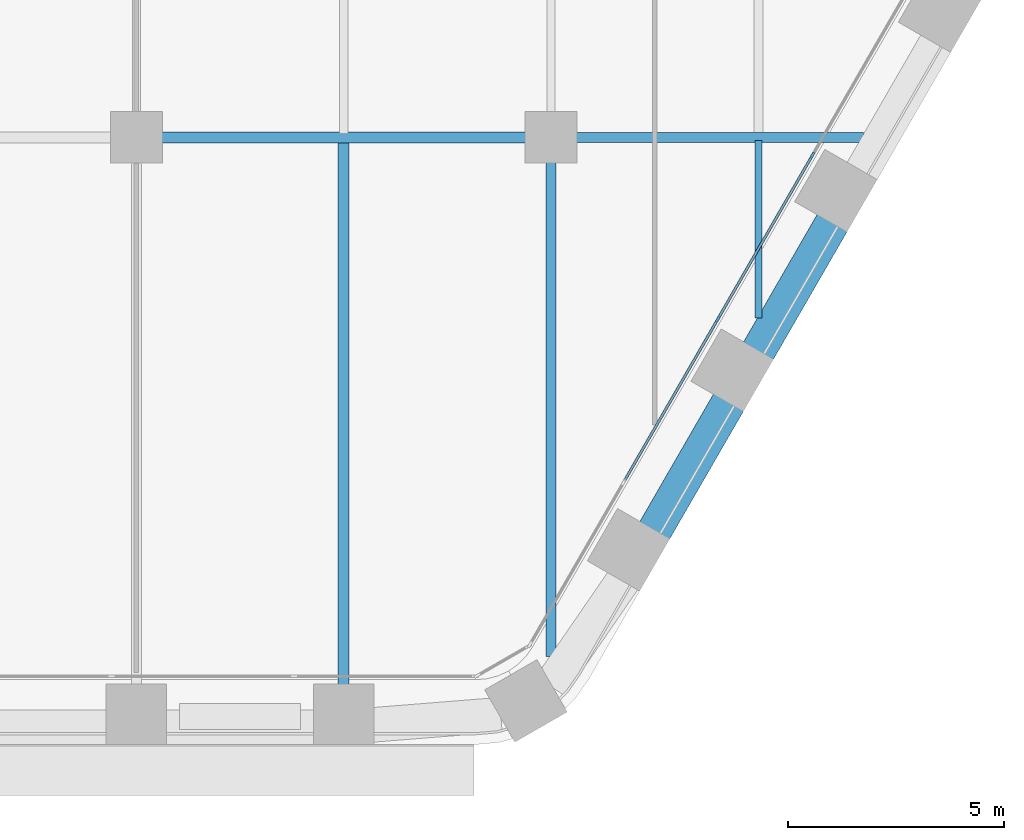
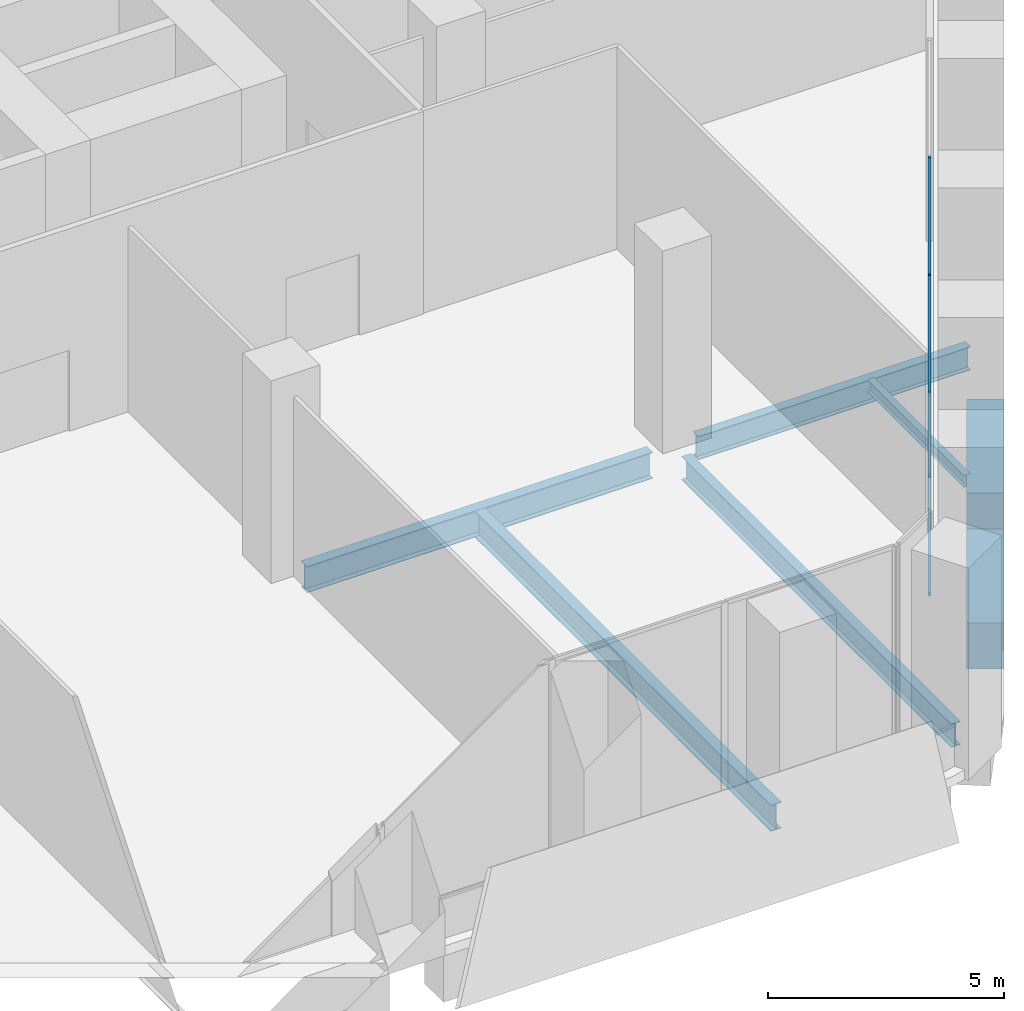
# One storey, part 5 of 27: 7 beams, 6 members, 1 element without a shape of its own.
"""IFC4 building model written with IfcOpenShell, lengths in metres."""

from ifc_helpers import new_model, si_unit, direction, frame, origin, origin_2d, place, context, subcontext, project, spatial, rectangle, i_section, extrude, material, material_profile, profile_set, type_object, element, aggregate, save


model = new_model("IFC4")

# Units and contexts
model_context = context("Model", 3, precision=1e-05, world=origin(), true_north=direction((0.0, 1.0)))
body_context = subcontext(model_context, "Body", "Model", "MODEL_VIEW")
ifc_project = project(units=[si_unit("LENGTHUNIT", "METRE"), si_unit("AREAUNIT", "SQUARE_METRE"), si_unit("VOLUMEUNIT", "CUBIC_METRE"), si_unit("PLANEANGLEUNIT", "RADIAN"), si_unit("MASSUNIT", "GRAM", prefix="KILO")], contexts=[model_context])

# Site, building, storey
site_placement = place(None, origin())
site = spatial("IfcSite", under=ifc_project, at=site_placement, CompositionType="ELEMENT")
building_placement = place(site_placement, origin())
building = spatial("IfcBuilding", under=site, at=building_placement, Name="Kolab Exchange Tower", CompositionType="ELEMENT")
storey_placement = place(building_placement, frame((0.0, 0.0, 27.89990234375)))
storey = spatial("IfcBuildingStorey", under=building, at=storey_placement, Name="L05", CompositionType="ELEMENT", Elevation=27.89990234375)

# Beams
ifc_material_1 = material(Name="Steel S355", Category="steel")
ifc_material_profile_1 = material_profile(ifc_material_1, i_section(OverallWidth=0.1650390625, OverallDepth=0.31005859375, WebThickness=0.005859375, FlangeThickness=0.009765625, at=origin_2d()), Name="W310X39")
ifc_profile_set_1 = profile_set([ifc_material_profile_1], Name="Steel S355")
beam_type_1 = type_object("IfcBeamType", Name="FLOOR BEAM W310X39", PredefinedType="BEAM", material=ifc_profile_set_1)
beam_1_placement = place(storey_placement, frame((24.0, -23.381591796875, -0.40478515625), z_axis=(0.0, 1.0, 0.0), x_axis=(-1.0, 0.0, 0.0)))
element("IfcBeam", 1, at=beam_1_placement, inside=storey, type_object=beam_type_1, Name="beam/L05/fr/052", PredefinedType="BEAM", context=body_context, shape_type="SweptSolid", body=[
    extrude(i_section(OverallWidth=0.1650390625, OverallDepth=0.31005859375, WebThickness=0.005859375, FlangeThickness=0.009765625, at=origin_2d()), origin(), (0.0, 0.0, 1.0), 4.107666015625),
])
ifc_material_profile_2 = material_profile(ifc_material_1, i_section(OverallWidth=0.22802734375, OverallDepth=0.60791015625, WebThickness=0.01123046875, FlangeThickness=0.017333984375, at=origin_2d()), Name="W610X113")
ifc_profile_set_2 = profile_set([ifc_material_profile_2], Name="Steel S355")
beam_type_2 = type_object("IfcBeamType", Name="FLOOR BEAM W610X113", PredefinedType="BEAM", material=ifc_profile_set_2)
beam_2_placement = place(storey_placement, frame((19.199951171875, -31.214599609375, -0.553955078125), z_axis=(0.0, 1.0, 0.0), x_axis=(-1.0, 0.0, 0.0)))
element("IfcBeam", 2, at=beam_2_placement, inside=storey, type_object=beam_type_2, Name="beam/L05/fr/046", PredefinedType="BEAM", context=body_context, shape_type="SweptSolid", body=[
    extrude(i_section(OverallWidth=0.22802734375, OverallDepth=0.60791015625, WebThickness=0.01123046875, FlangeThickness=0.017333984375, at=origin_2d()), origin(), (0.0, 0.0, 1.0), 11.45458984375),
])
ifc_material_profile_3 = material_profile(ifc_material_1, i_section(OverallWidth=0.25390625, OverallDepth=0.68408203125, WebThickness=0.012451171875, FlangeThickness=0.018798828125, at=origin_2d()), Name="W690X140")
ifc_profile_set_3 = profile_set([ifc_material_profile_3], Name="Steel S355")
beam_type_3 = type_object("IfcBeamType", Name="FLOOR BEAM W690X140", PredefinedType="BEAM", material=ifc_profile_set_3)
beam_3_placement = place(storey_placement, frame((14.39990234375, -31.8955078125, -0.591796875), z_axis=(0.0, 1.0, 0.0), x_axis=(-1.0, 0.0, 0.0)))
element("IfcBeam", 3, at=beam_3_placement, inside=storey, type_object=beam_type_3, Name="beam/L05/fr/042", PredefinedType="BEAM", context=body_context, shape_type="SweptSolid", body=[
    extrude(i_section(OverallWidth=0.25390625, OverallDepth=0.68408203125, WebThickness=0.012451171875, FlangeThickness=0.018798828125, at=origin_2d()), origin(), (0.0, 0.0, 1.0), 12.6083984375),
])
ifc_material_profile_4 = material_profile(ifc_material_1, i_section(OverallWidth=0.22802734375, OverallDepth=0.60791015625, WebThickness=0.01123046875, FlangeThickness=0.017333984375, at=origin_2d()), Name="W610X113")
ifc_profile_set_4 = profile_set([ifc_material_profile_4], Name="Steel S355")
beam_type_4 = type_object("IfcBeamType", Name="FLOOR GIRDER W610X113", PredefinedType="BEAM", material=ifc_profile_set_4)
beam_4_placement = place(storey_placement, frame((19.760009765625, -19.199951171875, -0.553955078125), z_axis=(1.0, 0.0, 0.0), x_axis=(0.0, 1.0, 0.0)))
element("IfcBeam", 4, at=beam_4_placement, inside=storey, type_object=beam_type_4, Name="beam/L05/gd/020", PredefinedType="BEAM", context=body_context, shape_type="SweptSolid", body=[
    extrude(i_section(OverallWidth=0.22802734375, OverallDepth=0.60791015625, WebThickness=0.01123046875, FlangeThickness=0.017333984375, at=origin_2d()), origin(), (0.0, 0.0, 1.0), 6.671142578125),
])
ifc_material_profile_5 = material_profile(ifc_material_1, i_section(OverallWidth=0.25390625, OverallDepth=0.68408203125, WebThickness=0.012451171875, FlangeThickness=0.018798828125, at=origin_2d()), Name="W690X140")
ifc_profile_set_5 = profile_set([ifc_material_profile_5], Name="Steel S355")
beam_type_5 = type_object("IfcBeamType", Name="FLOOR GIRDER W690X140", PredefinedType="BEAM", material=ifc_profile_set_5)
beam_5_placement = place(storey_placement, frame((10.159912109375, -19.199951171875, -0.591796875), z_axis=(1.0, 0.0, 0.0), x_axis=(0.0, 1.0, 0.0)))
element("IfcBeam", 5, at=beam_5_placement, inside=storey, type_object=beam_type_5, Name="beam/L05/gd/015", PredefinedType="BEAM", context=body_context, shape_type="SweptSolid", body=[
    extrude(i_section(OverallWidth=0.25390625, OverallDepth=0.68408203125, WebThickness=0.012451171875, FlangeThickness=0.018798828125, at=origin_2d()), origin(), (0.0, 0.0, 1.0), 8.47998046875),
])
ifc_material_2 = material(Name="Concrete C80/95", Category="concrete")
ifc_material_profile_6 = material_profile(ifc_material_2, rectangle(XDim=0.800048828125, YDim=1.199951171875, at=origin_2d()), Name="RC800X1200")
ifc_profile_set_6 = profile_set([ifc_material_profile_6], Name="Concrete C80/95")
beam_type_6 = type_object("IfcBeamType", Name="SPANDREL BEAM 800X1200 C80/95", PredefinedType="BEAM", material=ifc_profile_set_6)
beam_6_placement = place(storey_placement, frame((25.7236328125, -21.15625, -0.849853515625), z_axis=(-0.500009906705, -0.86601968407, 0.0), x_axis=(0.86601968407, -0.500009906705, 0.0)))
element("IfcBeam", 6, at=beam_6_placement, inside=storey, type_object=beam_type_6, Name="beam/L05/sp/F3-06", PredefinedType="BEAM", context=body_context, shape_type="SweptSolid", body=[
    extrude(rectangle(XDim=0.800048828125, YDim=1.199951171875, at=origin_2d()), origin(), (0.0, 0.0, 1.0), 3.47998046875),
])
beam_7_placement = place(storey_placement, frame((23.323486328125, -25.31298828125, -0.849853515625), z_axis=(-0.499979528911, -0.866037222451, 0.0), x_axis=(0.866037222451, -0.499979528911, 0.0)))
element("IfcBeam", 7, at=beam_7_placement, inside=storey, type_object=beam_type_6, Name="beam/L05/sp/F3-07", PredefinedType="BEAM", context=body_context, shape_type="SweptSolid", body=[
    extrude(rectangle(XDim=0.800048828125, YDim=1.199951171875, at=origin_2d()), origin(), (0.0, 0.0, 1.0), 3.480224609375),
])

# Curtain wall, members
ifc_material_3 = material(Name="Aluminium EN AW-6063 T6", Category="aluminium")
curtain_wall_type = type_object("IfcCurtainWallType", Name="UNITISED LOW ZONE CURTAIN WALL", PredefinedType="NOTDEFINED", material=ifc_material_3)
curtain_wall_placement = place(storey_placement, origin())
curtain_wall = element("IfcCurtainWall", 8, at=curtain_wall_placement, inside=storey, type_object=curtain_wall_type, Name="cw/L05/F3-2", PredefinedType="NOTDEFINED")
ifc_material_profile_7 = material_profile(ifc_material_3, rectangle(XDim=0.06005859375, YDim=0.159912109375, at=origin_2d()), Name="RECT 60X160")
ifc_profile_set_7 = profile_set([ifc_material_profile_7], Name="Aluminium EN AW-6063 T6")
member_type_1 = type_object("IfcMemberType", Name="UNITISED LOW ZONE MULLION 60 X 160", PredefinedType="MULLION", material=ifc_profile_set_7)
member_1_placement = place(storey_placement, frame((25.248291015625, -19.61962890625, 0.0), z_axis=(0.0, 0.0, 1.0), x_axis=(0.866025397318, -0.5000000112, 0.0)))
member_1 = element("IfcMember", 9, at=member_1_placement, type_object=member_type_1, Name="CW1 mullion 2", PredefinedType="MULLION", context=body_context, shape_type="SweptSolid", body=[
    extrude(rectangle(XDim=0.06005859375, YDim=0.159912109375, at=origin_2d()), origin(), (0.0, 0.0, 1.0), 5.25),
])
member_2_placement = place(storey_placement, frame((23.064697265625, -23.401611328125, 0.0), z_axis=(0.0, 0.0, 1.0), x_axis=(0.866025397318, -0.5000000112, 0.0)))
member_2 = element("IfcMember", 10, at=member_2_placement, type_object=member_type_1, Name="CW1 mullion 3", PredefinedType="MULLION", context=body_context, shape_type="SweptSolid", body=[
    extrude(rectangle(XDim=0.06005859375, YDim=0.159912109375, at=origin_2d()), origin(), (0.0, 0.0, 1.0), 5.25),
])
ifc_material_profile_8 = material_profile(ifc_material_3, rectangle(XDim=0.06005859375, YDim=0.10009765625, at=origin_2d()), Name="RECT 60X100")
ifc_profile_set_8 = profile_set([ifc_material_profile_8], Name="Aluminium EN AW-6063 T6")
member_type_2 = type_object("IfcMemberType", Name="UNITISED LOW ZONE TRANSOM 60 X 100", PredefinedType="USERDEFINED", material=ifc_profile_set_8)
member_3_placement = place(storey_placement, frame((25.233154296875, -19.6455078125, 0.030029296875), z_axis=(-0.500010313095, -0.866019449435, 0.0), x_axis=(0.866019449435, -0.500010313095, 0.0)))
member_3 = element("IfcMember", 11, at=member_3_placement, type_object=member_type_2, Name="CW1 transom 2.1", ObjectType="TRANSOM", PredefinedType="USERDEFINED", context=body_context, shape_type="SweptSolid", body=[
    extrude(rectangle(XDim=0.06005859375, YDim=0.10009765625, at=origin_2d()), origin(), (0.0, 0.0, 1.0), 4.30712890625),
])
member_4_placement = place(storey_placement, frame((25.233154296875, -19.6455078125, 5.22021484375), z_axis=(-0.500010313095, -0.866019449435, 0.0), x_axis=(0.866019449435, -0.500010313095, 0.0)))
member_4 = element("IfcMember", 12, at=member_4_placement, type_object=member_type_2, Name="CW1 transom 2.2", ObjectType="TRANSOM", PredefinedType="USERDEFINED", context=body_context, shape_type="SweptSolid", body=[
    extrude(rectangle(XDim=0.06005859375, YDim=0.10009765625, at=origin_2d()), origin(), (0.0, 0.0, 1.0), 4.30712890625),
])
member_5_placement = place(storey_placement, frame((23.0498046875, -23.427490234375, 0.030029296875), z_axis=(-0.500010313095, -0.866019449435, 0.0), x_axis=(0.866019449435, -0.500010313095, 0.0)))
member_5 = element("IfcMember", 13, at=member_5_placement, type_object=member_type_2, Name="CW1 transom 3.1", ObjectType="TRANSOM", PredefinedType="USERDEFINED", context=body_context, shape_type="SweptSolid", body=[
    extrude(rectangle(XDim=0.06005859375, YDim=0.10009765625, at=origin_2d()), origin(), (0.0, 0.0, 1.0), 4.30712890625),
])
member_6_placement = place(storey_placement, frame((23.0498046875, -23.427490234375, 5.22021484375), z_axis=(-0.500010313095, -0.866019449435, 0.0), x_axis=(0.866019449435, -0.500010313095, 0.0)))
member_6 = element("IfcMember", 14, at=member_6_placement, type_object=member_type_2, Name="CW1 transom 3.2", ObjectType="TRANSOM", PredefinedType="USERDEFINED", context=body_context, shape_type="SweptSolid", body=[
    extrude(rectangle(XDim=0.06005859375, YDim=0.10009765625, at=origin_2d()), origin(), (0.0, 0.0, 1.0), 4.30712890625),
])
aggregate(curtain_wall, [member_1, member_2, member_3, member_4, member_5, member_6])

save(model, "model.ifc")
